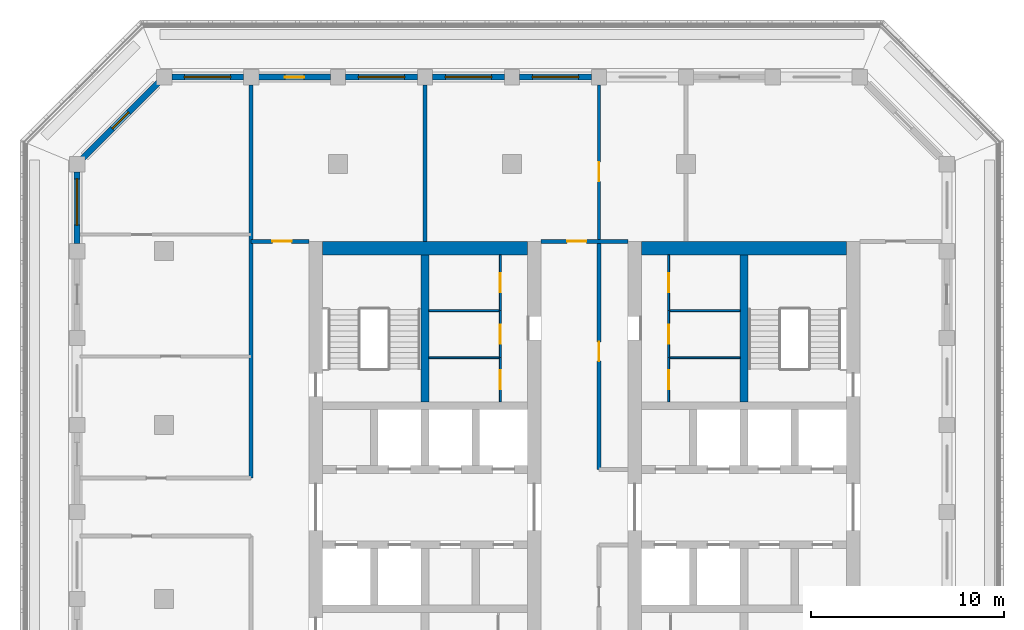
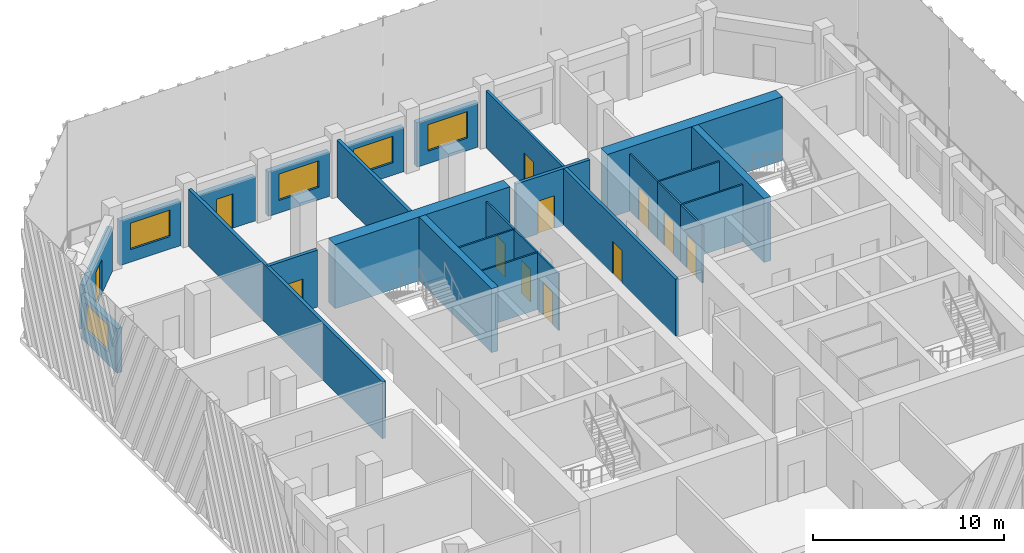
# One storey, part 6 of 15: 27 walls, 12 doors, 5 windows, 17 openings.
"""IFC4 building model written with IfcOpenShell, lengths in metres."""

from ifc_helpers import new_model, si_unit, direction, frame, frame_2d, origin, place, context, subcontext, project, spatial, rectangle, extrude, material, layer, layer_set, type_object, element, fill, save


model = new_model("IFC4")

# Units and contexts
model_context = context("Model", 3, precision=1e-05, world=origin(), true_north=direction((0.0, 1.0)))
body_context = subcontext(model_context, "Body", "Model", "MODEL_VIEW")
ifc_project = project(units=[si_unit("LENGTHUNIT", "METRE"), si_unit("AREAUNIT", "SQUARE_METRE"), si_unit("VOLUMEUNIT", "CUBIC_METRE"), si_unit("PLANEANGLEUNIT", "RADIAN"), si_unit("MASSUNIT", "GRAM", prefix="KILO")], contexts=[model_context])

# Site, building, storey
site_placement = place(None, origin())
site = spatial("IfcSite", under=ifc_project, at=site_placement, CompositionType="ELEMENT")
building_placement = place(site_placement, origin())
building = spatial("IfcBuilding", under=site, at=building_placement, Name="Corbel Stack Research Tower", CompositionType="ELEMENT")
storey_placement = place(building_placement, frame((0.0, 0.0, 282.699951171875)))
storey = spatial("IfcBuildingStorey", under=building, at=storey_placement, Name="L64", CompositionType="ELEMENT", Elevation=282.699951171875)

# Walls
ifc_material_1 = material(Name="Concrete C60/75", Category="concrete")
ifc_layer_1 = layer(ifc_material_1, 0.39990234375)
ifc_layer_set_1 = layer_set([ifc_layer_1], Name="Concrete C60/75")
wall_type_1 = type_object("IfcWallType", Name="CW-400-60", PredefinedType="SHEAR", material=ifc_layer_set_1)
for number, where, z_axis, x_axis, name in (
    (1, (-4.5, 10.199951171875, 0.0), (0.0, 0.0, 1.0), (0.0, 1.0, 0.0), "West core wall, north stair and riser L64"),
    (2, (12.0, 10.199951171875, 0.0), (0.0, 0.0, 1.0), (0.0, 1.0, 0.0), "East core wall, north stair and riser L64"),
):
    element("IfcWall", number, at=place(storey_placement, frame(where, z_axis=z_axis, x_axis=x_axis)), inside=storey, type_object=wall_type_1, Name=name, PredefinedType="SHEAR", context=body_context, shape_type="SweptSolid", body=[
        extrude(rectangle(XDim=7.60009765625, YDim=0.39990234375, at=frame_2d((3.800048828125, 0.0))), origin(), (0.0, 0.0, 1.0), 4.10009765625),
    ])
ifc_material_2 = material(Name="Concrete C60/75", Category="concrete")
ifc_layer_2 = layer(ifc_material_2, 0.699951171875)
ifc_layer_set_2 = layer_set([ifc_layer_2], Name="Concrete C60/75")
wall_type_2 = type_object("IfcWallType", Name="CW-700-60", PredefinedType="SHEAR", material=ifc_layer_set_2)
for number, where, z_axis, x_axis, name in (
    (3, (-9.800048828125, 18.14990234375, 0.0), (0.0, 0.0, 1.0), (1.0, 0.0, 0.0), "West core wall, north end L64"),
    (4, (6.699951171875, 18.14990234375, 0.0), (0.0, 0.0, 1.0), (1.0, 0.0, 0.0), "East core wall, north end L64"),
):
    element("IfcWall", number, at=place(storey_placement, frame(where, z_axis=z_axis, x_axis=x_axis)), inside=storey, type_object=wall_type_2, Name=name, PredefinedType="SHEAR", context=body_context, shape_type="SweptSolid", body=[
        extrude(rectangle(XDim=10.60009765625, YDim=0.699951171875, at=frame_2d((5.300048828125, 0.0))), origin(), (0.0, 0.0, 1.0), 4.10009765625),
    ])

# Wall, opening, door
ifc_material_3 = material(Name="Gypsum board")
ifc_layer_3 = layer(ifc_material_3, 0.10009765625)
ifc_layer_set_3 = layer_set([ifc_layer_3], Name="Gypsum board")
wall_type_3 = type_object("IfcWallType", Name="Core partition 100", PredefinedType="PARTITIONING", material=ifc_layer_set_3)
wall_1_placement = place(storey_placement, frame((-0.60009765625, 10.199951171875, 0.0), z_axis=(0.0, 0.0, 1.0), x_axis=(0.0, 1.0, 0.0)))
wall_1 = element("IfcWall", 5, at=wall_1_placement, inside=storey, type_object=wall_type_3, Name="Core partition W", PredefinedType="PARTITIONING", context=body_context, shape_type="SweptSolid", body=[
    extrude(rectangle(XDim=2.280029296875, YDim=0.10009765625, at=frame_2d((1.14013671875, 0.0))), origin(), (0.0, 0.0, 1.0), 3.650146484375),
])
opening_1_placement = place(wall_1_placement, frame((0.639892578125, 0.0, 0.0)))
opening_1 = element("IfcOpeningElement", 6, at=opening_1_placement, cuts=wall_1, Name="Opening CR-W42-R2-1000", PredefinedType="OPENING", context=body_context, shape_type="SweptSolid", body=[
    extrude(rectangle(XDim=1.0, YDim=2.10009765625, at=frame_2d((0.5, 1.050048828125))), frame((0.0, 0.06005859375, 0.0), z_axis=(0.0, -1.0, 0.0), x_axis=(1.0, 0.0, 0.0)), (0.0, 0.0, 1.0), 0.1201171875),
])
ifc_material_4 = material(Name="Painted steel door", Category="steel")
door_type_1 = type_object("IfcDoorType", Name="Riser door 1000 x 2100 FD60 right hand", OperationType="SINGLE_SWING_RIGHT", PredefinedType="DOOR", material=ifc_material_4)
door_1_placement = place(opening_1_placement, origin())
door_1 = element("IfcDoor", 7, at=door_1_placement, inside=storey, type_object=door_type_1, Name="Mechanical riser door W core", OperationType="SINGLE_SWING_RIGHT", OverallHeight=2.10009765625, OverallWidth=1.0, PredefinedType="DOOR", context=body_context, shape_type="SweptSolid", body=[
    extrude(rectangle(XDim=1.0, YDim=2.10009765625, at=frame_2d((0.5, 1.050048828125))), frame((0.0, 0.02490234375, 0.0), z_axis=(0.0, -1.0, 0.0), x_axis=(1.0, 0.0, 0.0)), (0.0, 0.0, 1.0), 0.050048828125),
])
fill(opening_1, door_1)

wall_2_placement = place(storey_placement, frame((-0.60009765625, 12.47998046875, 0.0), z_axis=(0.0, 0.0, 1.0), x_axis=(0.0, 1.0, 0.0)))
wall_2 = element("IfcWall", 8, at=wall_2_placement, inside=storey, type_object=wall_type_3, Name="Core partition W", PredefinedType="PARTITIONING", context=body_context, shape_type="SweptSolid", body=[
    extrude(rectangle(XDim=2.43212890625, YDim=0.10009765625, at=frame_2d((1.216064453125, 0.0))), origin(), (0.0, 0.0, 1.0), 3.650146484375),
])
opening_2_placement = place(wall_2_placement, frame((0.716064453125, 0.0, 0.0)))
opening_2 = element("IfcOpeningElement", 9, at=opening_2_placement, cuts=wall_2, Name="Opening CR-W42-R3-1000", PredefinedType="OPENING", context=body_context, shape_type="SweptSolid", body=[
    extrude(rectangle(XDim=1.0, YDim=2.10009765625, at=frame_2d((0.5, 1.050048828125))), frame((0.0, 0.06005859375, 0.0), z_axis=(0.0, -1.0, 0.0), x_axis=(1.0, 0.0, 0.0)), (0.0, 0.0, 1.0), 0.1201171875),
])
ifc_material_5 = material(Name="Painted steel door", Category="steel")
door_type_2 = type_object("IfcDoorType", Name="Service door 1000 x 2100 FD30 left hand", OperationType="SINGLE_SWING_LEFT", PredefinedType="DOOR", material=ifc_material_5)
door_2_placement = place(opening_2_placement, origin())
door_2 = element("IfcDoor", 10, at=door_2_placement, inside=storey, type_object=door_type_2, Name="Pantry door W core", OperationType="SINGLE_SWING_LEFT", OverallHeight=2.10009765625, OverallWidth=1.0, PredefinedType="DOOR", context=body_context, shape_type="SweptSolid", body=[
    extrude(rectangle(XDim=1.0, YDim=2.10009765625, at=frame_2d((0.5, 1.050048828125))), frame((0.0, 0.02490234375, 0.0), z_axis=(0.0, -1.0, 0.0), x_axis=(1.0, 0.0, 0.0)), (0.0, 0.0, 1.0), 0.050048828125),
])
fill(opening_2, door_2)

wall_3_placement = place(storey_placement, frame((-0.60009765625, 14.912109375, 0.0), z_axis=(0.0, 0.0, 1.0), x_axis=(0.0, 1.0, 0.0)))
wall_3 = element("IfcWall", 11, at=wall_3_placement, inside=storey, type_object=wall_type_3, Name="Core partition W", PredefinedType="PARTITIONING", context=body_context, shape_type="SweptSolid", body=[
    extrude(rectangle(XDim=2.887939453125, YDim=0.10009765625, at=frame_2d((1.44384765625, 0.0))), origin(), (0.0, 0.0, 1.0), 3.650146484375),
])
opening_3_placement = place(wall_3_placement, frame((0.944091796875, 0.0, 0.0)))
opening_3 = element("IfcOpeningElement", 12, at=opening_3_placement, cuts=wall_3, Name="Opening CR-W42-R4-1000", PredefinedType="OPENING", context=body_context, shape_type="SweptSolid", body=[
    extrude(rectangle(XDim=1.0, YDim=2.10009765625, at=frame_2d((0.5, 1.050048828125))), frame((0.0, 0.06005859375, 0.0), z_axis=(0.0, -1.0, 0.0), x_axis=(1.0, 0.0, 0.0)), (0.0, 0.0, 1.0), 0.1201171875),
])
door_3_placement = place(opening_3_placement, origin())
door_3 = element("IfcDoor", 13, at=door_3_placement, inside=storey, type_object=door_type_1, Name="Electrical riser door W core", OperationType="SINGLE_SWING_RIGHT", OverallHeight=2.10009765625, OverallWidth=1.0, PredefinedType="DOOR", context=body_context, shape_type="SweptSolid", body=[
    extrude(rectangle(XDim=1.0, YDim=2.10009765625, at=frame_2d((0.5, 1.050048828125))), frame((0.0, 0.02490234375, 0.0), z_axis=(0.0, -1.0, 0.0), x_axis=(1.0, 0.0, 0.0)), (0.0, 0.0, 1.0), 0.050048828125),
])
fill(opening_3, door_3)

# Walls
for number, where, z_axis, x_axis, name in (
    (14, (-4.300048828125, 12.47998046875, 0.0), (0.0, 0.0, 1.0), (1.0, 0.0, 0.0), "Core partition W"),
    (15, (-4.300048828125, 14.912109375, 0.0), (0.0, 0.0, 1.0), (1.0, 0.0, 0.0), "Core partition W"),
):
    element("IfcWall", number, at=place(storey_placement, frame(where, z_axis=z_axis, x_axis=x_axis)), inside=storey, type_object=wall_type_3, Name=name, PredefinedType="PARTITIONING", context=body_context, shape_type="SweptSolid", body=[
        extrude(rectangle(XDim=3.699951171875, YDim=0.10009765625, at=frame_2d((1.85009765625, 0.0))), origin(), (0.0, 0.0, 1.0), 3.650146484375),
    ])

# Wall, opening, door
wall_4_placement = place(storey_placement, frame((8.10009765625, 10.199951171875, 0.0), z_axis=(0.0, 0.0, 1.0), x_axis=(0.0, 1.0, 0.0)))
wall_4 = element("IfcWall", 16, at=wall_4_placement, inside=storey, type_object=wall_type_3, Name="Core partition E", PredefinedType="PARTITIONING", context=body_context, shape_type="SweptSolid", body=[
    extrude(rectangle(XDim=2.280029296875, YDim=0.10009765625, at=frame_2d((1.14013671875, 0.0))), origin(), (0.0, 0.0, 1.0), 3.650146484375),
])
opening_4_placement = place(wall_4_placement, frame((0.639892578125, 0.0, 0.0)))
opening_4 = element("IfcOpeningElement", 17, at=opening_4_placement, cuts=wall_4, Name="Opening CR-E42-R2-1000", PredefinedType="OPENING", context=body_context, shape_type="SweptSolid", body=[
    extrude(rectangle(XDim=1.0, YDim=2.10009765625, at=frame_2d((0.5, 1.050048828125))), frame((0.0, 0.06005859375, 0.0), z_axis=(0.0, -1.0, 0.0), x_axis=(1.0, 0.0, 0.0)), (0.0, 0.0, 1.0), 0.1201171875),
])
ifc_material_6 = material(Name="Painted steel door", Category="steel")
door_type_3 = type_object("IfcDoorType", Name="Riser door 1000 x 2100 FD60 left hand", OperationType="SINGLE_SWING_LEFT", PredefinedType="DOOR", material=ifc_material_6)
door_4_placement = place(opening_4_placement, origin())
door_4 = element("IfcDoor", 18, at=door_4_placement, inside=storey, type_object=door_type_3, Name="Mechanical riser door E core", OperationType="SINGLE_SWING_LEFT", OverallHeight=2.10009765625, OverallWidth=1.0, PredefinedType="DOOR", context=body_context, shape_type="SweptSolid", body=[
    extrude(rectangle(XDim=1.0, YDim=2.10009765625, at=frame_2d((0.5, 1.050048828125))), frame((0.0, 0.02490234375, 0.0), z_axis=(0.0, -1.0, 0.0), x_axis=(1.0, 0.0, 0.0)), (0.0, 0.0, 1.0), 0.050048828125),
])
fill(opening_4, door_4)

wall_5_placement = place(storey_placement, frame((8.10009765625, 12.47998046875, 0.0), z_axis=(0.0, 0.0, 1.0), x_axis=(0.0, 1.0, 0.0)))
wall_5 = element("IfcWall", 19, at=wall_5_placement, inside=storey, type_object=wall_type_3, Name="Core partition E", PredefinedType="PARTITIONING", context=body_context, shape_type="SweptSolid", body=[
    extrude(rectangle(XDim=2.43212890625, YDim=0.10009765625, at=frame_2d((1.216064453125, 0.0))), origin(), (0.0, 0.0, 1.0), 3.650146484375),
])
opening_5_placement = place(wall_5_placement, frame((0.716064453125, 0.0, 0.0)))
opening_5 = element("IfcOpeningElement", 20, at=opening_5_placement, cuts=wall_5, Name="Opening CR-E42-R3-1000", PredefinedType="OPENING", context=body_context, shape_type="SweptSolid", body=[
    extrude(rectangle(XDim=1.0, YDim=2.10009765625, at=frame_2d((0.5, 1.050048828125))), frame((0.0, 0.06005859375, 0.0), z_axis=(0.0, -1.0, 0.0), x_axis=(1.0, 0.0, 0.0)), (0.0, 0.0, 1.0), 0.1201171875),
])
ifc_material_7 = material(Name="Painted steel door", Category="steel")
door_type_4 = type_object("IfcDoorType", Name="Service door 1000 x 2100 FD30 right hand", OperationType="SINGLE_SWING_RIGHT", PredefinedType="DOOR", material=ifc_material_7)
door_5_placement = place(opening_5_placement, origin())
door_5 = element("IfcDoor", 21, at=door_5_placement, inside=storey, type_object=door_type_4, Name="Pantry door E core", OperationType="SINGLE_SWING_RIGHT", OverallHeight=2.10009765625, OverallWidth=1.0, PredefinedType="DOOR", context=body_context, shape_type="SweptSolid", body=[
    extrude(rectangle(XDim=1.0, YDim=2.10009765625, at=frame_2d((0.5, 1.050048828125))), frame((0.0, 0.02490234375, 0.0), z_axis=(0.0, -1.0, 0.0), x_axis=(1.0, 0.0, 0.0)), (0.0, 0.0, 1.0), 0.050048828125),
])
fill(opening_5, door_5)

wall_6_placement = place(storey_placement, frame((8.10009765625, 14.912109375, 0.0), z_axis=(0.0, 0.0, 1.0), x_axis=(0.0, 1.0, 0.0)))
wall_6 = element("IfcWall", 22, at=wall_6_placement, inside=storey, type_object=wall_type_3, Name="Core partition E", PredefinedType="PARTITIONING", context=body_context, shape_type="SweptSolid", body=[
    extrude(rectangle(XDim=2.887939453125, YDim=0.10009765625, at=frame_2d((1.44384765625, 0.0))), origin(), (0.0, 0.0, 1.0), 3.650146484375),
])
opening_6_placement = place(wall_6_placement, frame((0.944091796875, 0.0, 0.0)))
opening_6 = element("IfcOpeningElement", 23, at=opening_6_placement, cuts=wall_6, Name="Opening CR-E42-R4-1000", PredefinedType="OPENING", context=body_context, shape_type="SweptSolid", body=[
    extrude(rectangle(XDim=1.0, YDim=2.10009765625, at=frame_2d((0.5, 1.050048828125))), frame((0.0, 0.06005859375, 0.0), z_axis=(0.0, -1.0, 0.0), x_axis=(1.0, 0.0, 0.0)), (0.0, 0.0, 1.0), 0.1201171875),
])
door_6_placement = place(opening_6_placement, origin())
door_6 = element("IfcDoor", 24, at=door_6_placement, inside=storey, type_object=door_type_3, Name="Electrical riser door E core", OperationType="SINGLE_SWING_LEFT", OverallHeight=2.10009765625, OverallWidth=1.0, PredefinedType="DOOR", context=body_context, shape_type="SweptSolid", body=[
    extrude(rectangle(XDim=1.0, YDim=2.10009765625, at=frame_2d((0.5, 1.050048828125))), frame((0.0, 0.02490234375, 0.0), z_axis=(0.0, -1.0, 0.0), x_axis=(1.0, 0.0, 0.0)), (0.0, 0.0, 1.0), 0.050048828125),
])
fill(opening_6, door_6)

# Walls
for number, where, z_axis, x_axis, name in (
    (25, (8.10009765625, 12.47998046875, 0.0), (0.0, 0.0, 1.0), (1.0, 0.0, 0.0), "Core partition E"),
    (26, (8.10009765625, 14.912109375, 0.0), (0.0, 0.0, 1.0), (1.0, 0.0, 0.0), "Core partition E"),
):
    element("IfcWall", number, at=place(storey_placement, frame(where, z_axis=z_axis, x_axis=x_axis)), inside=storey, type_object=wall_type_3, Name=name, PredefinedType="PARTITIONING", context=body_context, shape_type="SweptSolid", body=[
        extrude(rectangle(XDim=3.699951171875, YDim=0.10009765625, at=frame_2d((1.85009765625, 0.0))), origin(), (0.0, 0.0, 1.0), 3.650146484375),
    ])

# Wall, opening, door
ifc_material_8 = material(Name="Fire-rated gypsum board partition on steel studs", Category="steel")
ifc_layer_4 = layer(ifc_material_8, 0.14990234375)
ifc_layer_set_4 = layer_set([ifc_layer_4], Name="Fire-rated gypsum board partition on steel studs")
wall_type_4 = type_object("IfcWallType", Name="Fire-rated partition 150 EI 60", PredefinedType="PARTITIONING", material=ifc_layer_set_4)
wall_7_placement = place(storey_placement, frame((4.5, 26.60009765625, 0.0), z_axis=(0.0, 0.0, 1.0), x_axis=(0.0, -1.0, 0.0)))
wall_7 = element("IfcWall", 27, at=wall_7_placement, inside=storey, type_object=wall_type_4, Name="Partition L64-006", PredefinedType="PARTITIONING", context=body_context, shape_type="SweptSolid", body=[
    extrude(rectangle(XDim=8.10009765625, YDim=0.14990234375, at=frame_2d((4.050048828125, 0.0))), origin(), (0.0, 0.0, 1.0), 3.650146484375),
])
opening_7_placement = place(wall_7_placement, frame((4.0, 0.0, 0.0)))
opening_7 = element("IfcOpeningElement", 28, at=opening_7_placement, cuts=wall_7, Name="Opening B8V2-011", PredefinedType="OPENING", context=body_context, shape_type="SweptSolid", body=[
    extrude(rectangle(XDim=1.0, YDim=2.10009765625, at=frame_2d((0.5, 1.050048828125))), frame((0.0, 0.0849609375, 0.0), z_axis=(0.0, -1.0, 0.0), x_axis=(1.0, 0.0, 0.0)), (0.0, 0.0, 1.0), 0.169921875),
])
ifc_material_9 = material(Name="Painted steel fire door", Category="steel")
door_type_5 = type_object("IfcDoorType", Name="Fire door FD30S 1000 x 2100", OperationType="NOTDEFINED", PredefinedType="DOOR", material=ifc_material_9)
door_7_placement = place(opening_7_placement, origin())
door_7 = element("IfcDoor", 29, at=door_7_placement, inside=storey, type_object=door_type_5, Name="Door B8V2-011", OperationType="SINGLE_SWING_RIGHT", OverallHeight=2.10009765625, OverallWidth=1.0, PredefinedType="DOOR", context=body_context, shape_type="SweptSolid", body=[
    extrude(rectangle(XDim=1.0, YDim=2.10009765625, at=frame_2d((0.5, 1.050048828125))), frame((0.0, 0.02490234375, 0.0), z_axis=(0.0, -1.0, 0.0), x_axis=(1.0, 0.0, 0.0)), (0.0, 0.0, 1.0), 0.050048828125),
])
fill(opening_7, door_7)

# Walls
ifc_material_10 = material(Name="Fire-rated gypsum board partition on steel studs", Category="steel")
ifc_layer_5 = layer(ifc_material_10, 0.199951171875)
ifc_layer_set_5 = layer_set([ifc_layer_5], Name="Fire-rated gypsum board partition on steel studs")
wall_type_5 = type_object("IfcWallType", Name="Fire-rated partition 200 EI 60", PredefinedType="PARTITIONING", material=ifc_layer_set_5)
wall_8_placement = place(storey_placement, frame((-13.5, 6.25, 0.0), z_axis=(0.0, 0.0, 1.0), x_axis=(0.0, 1.0, 0.0)))
element("IfcWall", 30, at=wall_8_placement, inside=storey, type_object=wall_type_5, Name="Partition L64-002", PredefinedType="PARTITIONING", context=body_context, shape_type="SweptSolid", body=[
    extrude(rectangle(XDim=20.35009765625, YDim=0.199951171875, at=frame_2d((10.175048828125, 0.0))), origin(), (0.0, 0.0, 1.0), 3.650146484375),
])
wall_9_placement = place(storey_placement, frame((-4.5, 18.5, 0.0), z_axis=(0.0, 0.0, 1.0), x_axis=(0.0, 1.0, 0.0)))
element("IfcWall", 31, at=wall_9_placement, inside=storey, type_object=wall_type_5, Name="Partition L64-004", PredefinedType="PARTITIONING", context=body_context, shape_type="SweptSolid", body=[
    extrude(rectangle(XDim=8.10009765625, YDim=0.199951171875, at=frame_2d((4.050048828125, 0.0))), origin(), (0.0, 0.0, 1.0), 3.650146484375),
])

# Wall, opening, door
wall_10_placement = place(storey_placement, frame((4.5, 18.5, 0.0), z_axis=(0.0, 0.0, 1.0), x_axis=(0.0, -1.0, 0.0)))
wall_10 = element("IfcWall", 32, at=wall_10_placement, inside=storey, type_object=wall_type_5, Name="Partition L64-009", PredefinedType="PARTITIONING", context=body_context, shape_type="SweptSolid", body=[
    extrude(rectangle(XDim=11.800048828125, YDim=0.199951171875, at=frame_2d((5.89990234375, 0.0))), origin(), (0.0, 0.0, 1.0), 3.650146484375),
])
opening_8_placement = place(wall_10_placement, frame((5.199951171875, 0.0, 0.0)))
opening_8 = element("IfcOpeningElement", 33, at=opening_8_placement, cuts=wall_10, Name="Opening B8V2-010", PredefinedType="OPENING", context=body_context, shape_type="SweptSolid", body=[
    extrude(rectangle(XDim=1.0, YDim=2.10009765625, at=frame_2d((0.5, 1.050048828125))), frame((0.0, 0.10986328125, 0.0), z_axis=(0.0, -1.0, 0.0), x_axis=(1.0, 0.0, 0.0)), (0.0, 0.0, 1.0), 0.219970703125),
])
door_8_placement = place(opening_8_placement, origin())
door_8 = element("IfcDoor", 34, at=door_8_placement, inside=storey, type_object=door_type_5, Name="Door B8V2-010", OperationType="SINGLE_SWING_LEFT", OverallHeight=2.10009765625, OverallWidth=1.0, PredefinedType="DOOR", context=body_context, shape_type="SweptSolid", body=[
    extrude(rectangle(XDim=1.0, YDim=2.10009765625, at=frame_2d((0.5, 1.050048828125))), frame((0.0, 0.02490234375, 0.0), z_axis=(0.0, -1.0, 0.0), x_axis=(1.0, 0.0, 0.0)), (0.0, 0.0, 1.0), 0.050048828125),
])
fill(opening_8, door_8)

wall_11_placement = place(storey_placement, frame((-13.5, 18.5, 0.0), z_axis=(0.0, 0.0, 1.0), x_axis=(1.0, 0.0, 0.0)))
wall_11 = element("IfcWall", 35, at=wall_11_placement, inside=storey, type_object=wall_type_5, Name="Partition L64-026", PredefinedType="PARTITIONING", context=body_context, shape_type="SweptSolid", body=[
    extrude(rectangle(XDim=3.0, YDim=0.199951171875, at=frame_2d((1.5, 0.0))), origin(), (0.0, 0.0, 1.0), 3.650146484375),
])
opening_9_placement = place(wall_11_placement, frame((1.10009765625, 0.0, 0.0)))
opening_9 = element("IfcOpeningElement", 36, at=opening_9_placement, cuts=wall_11, Name="Opening B8V2-014", PredefinedType="OPENING", context=body_context, shape_type="SweptSolid", body=[
    extrude(rectangle(XDim=1.0, YDim=2.10009765625, at=frame_2d((0.5, 1.050048828125))), frame((0.0, 0.10986328125, 0.0), z_axis=(0.0, -1.0, 0.0), x_axis=(1.0, 0.0, 0.0)), (0.0, 0.0, 1.0), 0.219970703125),
])
door_9_placement = place(opening_9_placement, origin())
door_9 = element("IfcDoor", 37, at=door_9_placement, inside=storey, type_object=door_type_5, Name="Door B8V2-014", OperationType="SINGLE_SWING_RIGHT", OverallHeight=2.10009765625, OverallWidth=1.0, PredefinedType="DOOR", context=body_context, shape_type="SweptSolid", body=[
    extrude(rectangle(XDim=1.0, YDim=2.10009765625, at=frame_2d((0.5, 1.050048828125))), frame((0.0, 0.02490234375, 0.0), z_axis=(0.0, -1.0, 0.0), x_axis=(1.0, 0.0, 0.0)), (0.0, 0.0, 1.0), 0.050048828125),
])
fill(opening_9, door_9)

wall_12_placement = place(storey_placement, frame((1.5, 18.5, 0.0), z_axis=(0.0, 0.0, 1.0), x_axis=(1.0, 0.0, 0.0)))
wall_12 = element("IfcWall", 38, at=wall_12_placement, inside=storey, type_object=wall_type_5, Name="Partition L64-027", PredefinedType="PARTITIONING", context=body_context, shape_type="SweptSolid", body=[
    extrude(rectangle(XDim=4.5, YDim=0.199951171875, at=frame_2d((2.25, 0.0))), origin(), (0.0, 0.0, 1.0), 3.650146484375),
])
opening_10_placement = place(wall_12_placement, frame((1.35009765625, 0.0, 0.0)))
opening_10 = element("IfcOpeningElement", 39, at=opening_10_placement, cuts=wall_12, Name="Opening B8V2-015", PredefinedType="OPENING", context=body_context, shape_type="SweptSolid", body=[
    extrude(rectangle(XDim=1.0, YDim=2.10009765625, at=frame_2d((0.5, 1.050048828125))), frame((0.0, 0.10986328125, 0.0), z_axis=(0.0, -1.0, 0.0), x_axis=(1.0, 0.0, 0.0)), (0.0, 0.0, 1.0), 0.219970703125),
])
door_10_placement = place(opening_10_placement, origin())
door_10 = element("IfcDoor", 40, at=door_10_placement, inside=storey, type_object=door_type_5, Name="Door B8V2-015", OperationType="SINGLE_SWING_LEFT", OverallHeight=2.10009765625, OverallWidth=1.0, PredefinedType="DOOR", context=body_context, shape_type="SweptSolid", body=[
    extrude(rectangle(XDim=1.0, YDim=2.10009765625, at=frame_2d((0.5, 1.050048828125))), frame((0.0, 0.02490234375, 0.0), z_axis=(0.0, -1.0, 0.0), x_axis=(1.0, 0.0, 0.0)), (0.0, 0.0, 1.0), 0.050048828125),
])
fill(opening_10, door_10)

# Wall, opening, window
ifc_material_11 = material(Name="Concrete C45/55", Category="concrete")
ifc_layer_6 = layer(ifc_material_11, 0.300048828125)
ifc_layer_set_6 = layer_set([ifc_layer_6], Name="Concrete C45/55")
wall_type_6 = type_object("IfcWallType", Name="Terracotta-faced concrete wall 300", PredefinedType="SOLIDWALL", material=ifc_layer_set_6)
wall_13_placement = place(storey_placement, frame((0.39990234375, 27.0, 0.0), z_axis=(0.0, 0.0, 1.0), x_axis=(1.0, 0.0, 0.0)))
wall_13 = element("IfcWall", 41, at=wall_13_placement, inside=storey, type_object=wall_type_6, Name="Facade wall L64 N04", PredefinedType="SOLIDWALL", context=body_context, shape_type="SweptSolid", body=[
    extrude(rectangle(XDim=3.7001953125, YDim=0.300048828125, at=frame_2d((1.85009765625, 0.0))), origin(), (0.0, 0.0, 1.0), 2.85009765625),
])
opening_11_placement = place(wall_13_placement, frame((0.64990234375, 0.0, 0.800048828125)))
opening_11 = element("IfcOpeningElement", 42, at=opening_11_placement, cuts=wall_13, Name="Opening W1", PredefinedType="OPENING", context=body_context, shape_type="SweptSolid", body=[
    extrude(rectangle(XDim=2.39990234375, YDim=1.699951171875, at=frame_2d((1.199951171875, 0.85009765625))), frame((0.0, 0.159912109375, 0.0), z_axis=(0.0, -1.0, 0.0), x_axis=(1.0, 0.0, 0.0)), (0.0, 0.0, 1.0), 0.320068359375),
])
ifc_material_12 = material(Name="Aluminium frame, clear double glazing", Category="aluminium")
window_type = type_object("IfcWindowType", Name="Window W1 2400 x 1700", PartitioningType="SINGLE_PANEL", PredefinedType="WINDOW", material=ifc_material_12)
window_1_placement = place(opening_11_placement, origin())
window_1 = element("IfcWindow", 43, at=window_1_placement, inside=storey, type_object=window_type, Name="Window W1 L64 N04", OverallHeight=1.699951171875, OverallWidth=2.39990234375, PartitioningType="SINGLE_PANEL", PredefinedType="WINDOW", context=body_context, shape_type="SweptSolid", body=[
    extrude(rectangle(XDim=2.39990234375, YDim=1.699951171875, at=frame_2d((1.199951171875, 0.85009765625))), frame((0.0, 0.030029296875, 0.0), z_axis=(0.0, -1.0, 0.0), x_axis=(1.0, 0.0, 0.0)), (0.0, 0.0, 1.0), 0.06005859375),
])
fill(opening_11, window_1)

wall_14_placement = place(storey_placement, frame((-4.10009765625, 27.0, 0.0), z_axis=(0.0, 0.0, 1.0), x_axis=(1.0, 0.0, 0.0)))
wall_14 = element("IfcWall", 44, at=wall_14_placement, inside=storey, type_object=wall_type_6, Name="Facade wall L64 N05", PredefinedType="SOLIDWALL", context=body_context, shape_type="SweptSolid", body=[
    extrude(rectangle(XDim=3.7001953125, YDim=0.300048828125, at=frame_2d((1.85009765625, 0.0))), origin(), (0.0, 0.0, 1.0), 2.85009765625),
])
opening_12_placement = place(wall_14_placement, frame((0.64990234375, 0.0, 0.800048828125)))
opening_12 = element("IfcOpeningElement", 45, at=opening_12_placement, cuts=wall_14, Name="Opening W1", PredefinedType="OPENING", context=body_context, shape_type="SweptSolid", body=[
    extrude(rectangle(XDim=2.39990234375, YDim=1.699951171875, at=frame_2d((1.199951171875, 0.85009765625))), frame((0.0, 0.159912109375, 0.0), z_axis=(0.0, -1.0, 0.0), x_axis=(1.0, 0.0, 0.0)), (0.0, 0.0, 1.0), 0.320068359375),
])
window_2_placement = place(opening_12_placement, origin())
window_2 = element("IfcWindow", 46, at=window_2_placement, inside=storey, type_object=window_type, Name="Window W1 L64 N05", OverallHeight=1.699951171875, OverallWidth=2.39990234375, PartitioningType="SINGLE_PANEL", PredefinedType="WINDOW", context=body_context, shape_type="SweptSolid", body=[
    extrude(rectangle(XDim=2.39990234375, YDim=1.699951171875, at=frame_2d((1.199951171875, 0.85009765625))), frame((0.0, 0.030029296875, 0.0), z_axis=(0.0, -1.0, 0.0), x_axis=(1.0, 0.0, 0.0)), (0.0, 0.0, 1.0), 0.06005859375),
])
fill(opening_12, window_2)

wall_15_placement = place(storey_placement, frame((-8.60009765625, 27.0, 0.0), z_axis=(0.0, 0.0, 1.0), x_axis=(1.0, 0.0, 0.0)))
wall_15 = element("IfcWall", 47, at=wall_15_placement, inside=storey, type_object=wall_type_6, Name="Facade wall L64 N06", PredefinedType="SOLIDWALL", context=body_context, shape_type="SweptSolid", body=[
    extrude(rectangle(XDim=3.7001953125, YDim=0.300048828125, at=frame_2d((1.85009765625, 0.0))), origin(), (0.0, 0.0, 1.0), 2.85009765625),
])
opening_13_placement = place(wall_15_placement, frame((0.64990234375, 0.0, 0.800048828125)))
opening_13 = element("IfcOpeningElement", 48, at=opening_13_placement, cuts=wall_15, Name="Opening W1", PredefinedType="OPENING", context=body_context, shape_type="SweptSolid", body=[
    extrude(rectangle(XDim=2.39990234375, YDim=1.699951171875, at=frame_2d((1.199951171875, 0.85009765625))), frame((0.0, 0.159912109375, 0.0), z_axis=(0.0, -1.0, 0.0), x_axis=(1.0, 0.0, 0.0)), (0.0, 0.0, 1.0), 0.320068359375),
])
window_3_placement = place(opening_13_placement, origin())
window_3 = element("IfcWindow", 49, at=window_3_placement, inside=storey, type_object=window_type, Name="Window W1 L64 N06", OverallHeight=1.699951171875, OverallWidth=2.39990234375, PartitioningType="SINGLE_PANEL", PredefinedType="WINDOW", context=body_context, shape_type="SweptSolid", body=[
    extrude(rectangle(XDim=2.39990234375, YDim=1.699951171875, at=frame_2d((1.199951171875, 0.85009765625))), frame((0.0, 0.030029296875, 0.0), z_axis=(0.0, -1.0, 0.0), x_axis=(1.0, 0.0, 0.0)), (0.0, 0.0, 1.0), 0.06005859375),
])
fill(opening_13, window_3)

# Wall, opening, door
wall_16_placement = place(storey_placement, frame((-13.10009765625, 27.0, 0.0), z_axis=(0.0, 0.0, 1.0), x_axis=(1.0, 0.0, 0.0)))
wall_16 = element("IfcWall", 50, at=wall_16_placement, inside=storey, type_object=wall_type_6, Name="Facade wall L64 N07", PredefinedType="SOLIDWALL", context=body_context, shape_type="SweptSolid", body=[
    extrude(rectangle(XDim=3.7001953125, YDim=0.300048828125, at=frame_2d((1.85009765625, 0.0))), origin(), (0.0, 0.0, 1.0), 2.85009765625),
])
opening_14_placement = place(wall_16_placement, frame((1.35009765625, 0.0, 0.0)))
opening_14 = element("IfcOpeningElement", 51, at=opening_14_placement, cuts=wall_16, Name="Opening L64-B08", PredefinedType="OPENING", context=body_context, shape_type="SweptSolid", body=[
    extrude(rectangle(XDim=1.0, YDim=2.199951171875, at=frame_2d((0.5, 1.10009765625))), frame((0.0, 0.159912109375, 0.0), z_axis=(0.0, -1.0, 0.0), x_axis=(1.0, 0.0, 0.0)), (0.0, 0.0, 1.0), 0.320068359375),
])
ifc_material_13 = material(Name="Aluminium frame, clear double glazing", Category="aluminium")
door_type_6 = type_object("IfcDoorType", Name="Balcony door BD1 1000 x 2200", OperationType="NOTDEFINED", PredefinedType="DOOR", material=ifc_material_13)
door_11_placement = place(opening_14_placement, origin())
door_11 = element("IfcDoor", 52, at=door_11_placement, inside=storey, type_object=door_type_6, Name="Balcony door L64-B08", OperationType="SINGLE_SWING_LEFT", OverallHeight=2.199951171875, OverallWidth=1.0, PredefinedType="DOOR", context=body_context, shape_type="SweptSolid", body=[
    extrude(rectangle(XDim=1.0, YDim=2.199951171875, at=frame_2d((0.5, 1.10009765625))), frame((0.0, 0.02490234375, 0.0), z_axis=(0.0, -1.0, 0.0), x_axis=(1.0, 0.0, 0.0)), (0.0, 0.0, 1.0), 0.050048828125),
])
fill(opening_14, door_11)

# Wall, opening, window
wall_17_placement = place(storey_placement, frame((-17.60009765625, 27.0, 0.0), z_axis=(0.0, 0.0, 1.0), x_axis=(1.0, 0.0, 0.0)))
wall_17 = element("IfcWall", 53, at=wall_17_placement, inside=storey, type_object=wall_type_6, Name="Facade wall L64 N08", PredefinedType="SOLIDWALL", context=body_context, shape_type="SweptSolid", body=[
    extrude(rectangle(XDim=3.7001953125, YDim=0.300048828125, at=frame_2d((1.85009765625, 0.0))), origin(), (0.0, 0.0, 1.0), 2.85009765625),
])
opening_15_placement = place(wall_17_placement, frame((0.64990234375, 0.0, 0.800048828125)))
opening_15 = element("IfcOpeningElement", 54, at=opening_15_placement, cuts=wall_17, Name="Opening W1", PredefinedType="OPENING", context=body_context, shape_type="SweptSolid", body=[
    extrude(rectangle(XDim=2.39990234375, YDim=1.699951171875, at=frame_2d((1.199951171875, 0.85009765625))), frame((0.0, 0.159912109375, 0.0), z_axis=(0.0, -1.0, 0.0), x_axis=(1.0, 0.0, 0.0)), (0.0, 0.0, 1.0), 0.320068359375),
])
window_4_placement = place(opening_15_placement, origin())
window_4 = element("IfcWindow", 55, at=window_4_placement, inside=storey, type_object=window_type, Name="Window W1 L64 N08", OverallHeight=1.699951171875, OverallWidth=2.39990234375, PartitioningType="SINGLE_PANEL", PredefinedType="WINDOW", context=body_context, shape_type="SweptSolid", body=[
    extrude(rectangle(XDim=2.39990234375, YDim=1.699951171875, at=frame_2d((1.199951171875, 0.85009765625))), frame((0.0, 0.030029296875, 0.0), z_axis=(0.0, -1.0, 0.0), x_axis=(1.0, 0.0, 0.0)), (0.0, 0.0, 1.0), 0.06005859375),
])
fill(opening_15, window_4)

# Wall, opening, door
wall_18_placement = place(storey_placement, frame((-22.2060546875, 22.7939453125, 0.0), z_axis=(0.0, 0.0, 1.0), x_axis=(0.707106781187, 0.707106781187, 0.0)))
wall_18 = element("IfcWall", 56, at=wall_18_placement, inside=storey, type_object=wall_type_6, Name="Facade wall L64 NW01", PredefinedType="SOLIDWALL", context=body_context, shape_type="SweptSolid", body=[
    extrude(rectangle(XDim=5.532470703125, YDim=0.300048828125, at=frame_2d((2.76611328125, 0.0))), origin(), (0.0, 0.0, 1.0), 2.85009765625),
])
opening_16_placement = place(wall_18_placement, frame((2.166259765625, 0.0, 0.0)))
opening_16 = element("IfcOpeningElement", 57, at=opening_16_placement, cuts=wall_18, Name="Opening L64-B09", PredefinedType="OPENING", context=body_context, shape_type="SweptSolid", body=[
    extrude(rectangle(XDim=1.199951171875, YDim=2.199951171875, at=frame_2d((0.60009765625, 1.10009765625))), frame((0.0, 0.159912109375, 0.0), z_axis=(0.0, -1.0, 0.0), x_axis=(1.0, 0.0, 0.0)), (0.0, 0.0, 1.0), 0.320068359375),
])
ifc_material_14 = material(Name="Aluminium frame, clear double glazing", Category="aluminium")
door_type_7 = type_object("IfcDoorType", Name="Balcony door BD2 1200 x 2200", OperationType="NOTDEFINED", PredefinedType="DOOR", material=ifc_material_14)
door_12_placement = place(opening_16_placement, origin())
door_12 = element("IfcDoor", 58, at=door_12_placement, inside=storey, type_object=door_type_7, Name="Balcony door L64-B09", OperationType="SINGLE_SWING_LEFT", OverallHeight=2.199951171875, OverallWidth=1.199951171875, PredefinedType="DOOR", context=body_context, shape_type="SweptSolid", body=[
    extrude(rectangle(XDim=1.199951171875, YDim=2.199951171875, at=frame_2d((0.60009765625, 1.10009765625))), frame((0.0, 0.02490234375, 0.0), z_axis=(0.0, -1.0, 0.0), x_axis=(1.0, 0.0, 0.0)), (0.0, 0.0, 1.0), 0.050048828125),
])
fill(opening_16, door_12)

# Wall, opening, window
wall_19_placement = place(storey_placement, frame((-22.5, 18.39990234375, 0.0), z_axis=(0.0, 0.0, 1.0), x_axis=(0.0, 1.0, 0.0)))
wall_19 = element("IfcWall", 59, at=wall_19_placement, inside=storey, type_object=wall_type_6, Name="Facade wall L64 W01", PredefinedType="SOLIDWALL", context=body_context, shape_type="SweptSolid", body=[
    extrude(rectangle(XDim=3.7001953125, YDim=0.300048828125, at=frame_2d((1.85009765625, 0.0))), origin(), (0.0, 0.0, 1.0), 2.85009765625),
])
opening_17_placement = place(wall_19_placement, frame((0.9375, 0.0, 0.800048828125)))
opening_17 = element("IfcOpeningElement", 60, at=opening_17_placement, cuts=wall_19, Name="Opening W1", PredefinedType="OPENING", context=body_context, shape_type="SweptSolid", body=[
    extrude(rectangle(XDim=2.39990234375, YDim=1.699951171875, at=frame_2d((1.199951171875, 0.85009765625))), frame((0.0, 0.159912109375, 0.0), z_axis=(0.0, -1.0, 0.0), x_axis=(1.0, 0.0, 0.0)), (0.0, 0.0, 1.0), 0.320068359375),
])
window_5_placement = place(opening_17_placement, origin())
window_5 = element("IfcWindow", 61, at=window_5_placement, inside=storey, type_object=window_type, Name="Window W1 L64 W01", OverallHeight=1.699951171875, OverallWidth=2.39990234375, PartitioningType="SINGLE_PANEL", PredefinedType="WINDOW", context=body_context, shape_type="SweptSolid", body=[
    extrude(rectangle(XDim=2.39990234375, YDim=1.699951171875, at=frame_2d((1.199951171875, 0.85009765625))), frame((0.0, 0.030029296875, 0.0), z_axis=(0.0, -1.0, 0.0), x_axis=(1.0, 0.0, 0.0)), (0.0, 0.0, 1.0), 0.06005859375),
])
fill(opening_17, window_5)

save(model, "model.ifc")
